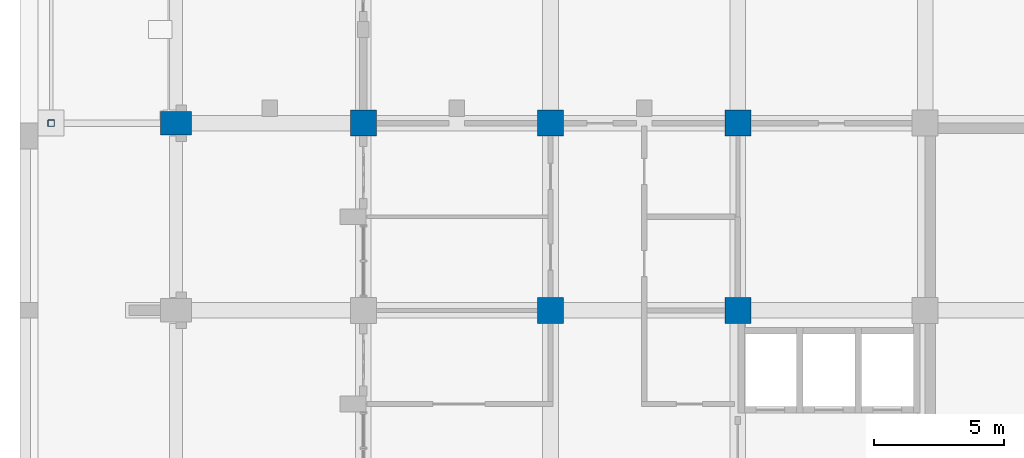
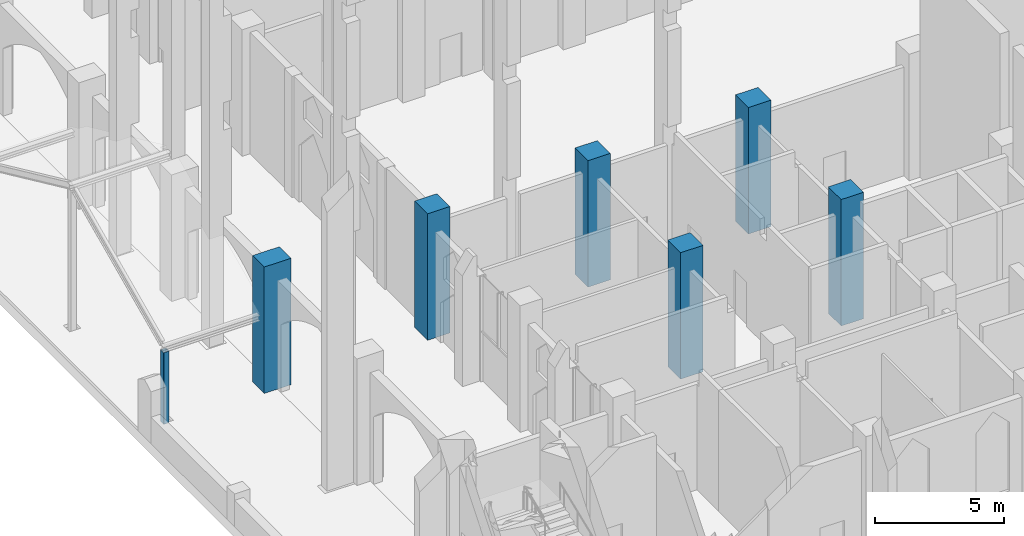
# One storey, part 2 of 50: 7 columns.
"""IFC4 building model written with IfcOpenShell, lengths in metres."""

from ifc_helpers import new_model, si_unit, direction, frame, origin, origin_2d, place, context, subcontext, project, spatial, rectangle, hollow_rectangle, extrude, material, material_profile, profile_set, type_object, element, save


model = new_model("IFC4")

# Units and contexts
model_context = context("Model", 3, precision=1e-05, world=origin(), true_north=direction((0.0, 1.0)))
body_context = subcontext(model_context, "Body", "Model", "MODEL_VIEW")
ifc_project = project(units=[si_unit("LENGTHUNIT", "METRE"), si_unit("AREAUNIT", "SQUARE_METRE"), si_unit("VOLUMEUNIT", "CUBIC_METRE"), si_unit("PLANEANGLEUNIT", "RADIAN"), si_unit("MASSUNIT", "GRAM", prefix="KILO")], contexts=[model_context])

# Site, building, storey
site_placement = place(None, origin())
site = spatial("IfcSite", under=ifc_project, at=site_placement, CompositionType="ELEMENT")
building_placement = place(site_placement, origin())
building = spatial("IfcBuilding", under=site, at=building_placement, Name="Silangan Lancet Faculty of Sciences", CompositionType="ELEMENT")
storey_placement = place(building_placement, origin())
storey = spatial("IfcBuildingStorey", under=building, at=storey_placement, Name="L00", CompositionType="ELEMENT", Elevation=0.0)

# Columns
ifc_material_1 = material(Name="Concrete C50/60", Category="concrete")
ifc_material_profile_1 = material_profile(ifc_material_1, rectangle(XDim=1.0, YDim=1.0, at=origin_2d()), Name="RC 1000x1000")
ifc_profile_set_1 = profile_set([ifc_material_profile_1], Name="Concrete C50/60")
column_type_1 = type_object("IfcColumnType", Name="COLUMN RC 1000x1000", PredefinedType="COLUMN", material=ifc_profile_set_1)
for number, where, z_axis, x_axis, name in (
    (1, (7.199951171875, 21.60009765625, 0.0), (0.0, 0.0, 1.0), (1.0, 0.0, 0.0), "COL-L00-2D"),
    (2, (14.39990234375, 14.39990234375, 0.0), (0.0, 0.0, 1.0), (1.0, 0.0, 0.0), "COL-L00-3C"),
    (3, (14.39990234375, 21.60009765625, 0.0), (0.0, 0.0, 1.0), (1.0, 0.0, 0.0), "COL-L00-3D"),
    (4, (21.60009765625, 14.39990234375, 0.0), (0.0, 0.0, 1.0), (1.0, 0.0, 0.0), "COL-L00-4C"),
    (5, (21.60009765625, 21.60009765625, 0.0), (0.0, 0.0, 1.0), (1.0, 0.0, 0.0), "COL-L00-4D"),
):
    element("IfcColumn", number, at=place(storey_placement, frame(where, z_axis=z_axis, x_axis=x_axis)), inside=storey, type_object=column_type_1, Name=name, PredefinedType="COLUMN", context=body_context, shape_type="SweptSolid", body=[
        extrude(rectangle(XDim=1.0, YDim=1.0, at=origin_2d()), origin(), (0.0, 0.0, 1.0), 6.0),
    ])
ifc_material_2 = material(Name="Concrete C50/60", Category="concrete")
ifc_material_profile_2 = material_profile(ifc_material_2, rectangle(XDim=1.199951171875, YDim=0.89990234375, at=origin_2d()), Name="RC 1200x900")
ifc_profile_set_2 = profile_set([ifc_material_profile_2], Name="Concrete C50/60")
column_type_2 = type_object("IfcColumnType", Name="COLUMN RC 1200x900", PredefinedType="COLUMN", material=ifc_profile_set_2)
column_1_placement = place(storey_placement, frame((0.0, 21.60009765625, 0.0), z_axis=(0.0, 0.0, 1.0), x_axis=(1.0, 0.0, 0.0)))
element("IfcColumn", 6, at=column_1_placement, inside=storey, type_object=column_type_2, Name="COL-L00-1D", PredefinedType="COLUMN", context=body_context, shape_type="SweptSolid", body=[
    extrude(rectangle(XDim=1.199951171875, YDim=0.89990234375, at=origin_2d()), origin(), (0.0, 0.0, 1.0), 6.0),
])
ifc_material_3 = material(Name="Steel STKR400", Category="steel")
ifc_material_profile_3 = material_profile(ifc_material_3, hollow_rectangle(XDim=0.25, YDim=0.25, WallThickness=0.009033203125, InnerFilletRadius=0.009033203125, OuterFilletRadius=0.01806640625, at=origin_2d()), Name="SHS 250x250x9.0")
ifc_profile_set_3 = profile_set([ifc_material_profile_3], Name="Steel STKR400")
column_type_3 = type_object("IfcColumnType", Name="Porch column SHS 250x250x9.0", PredefinedType="COLUMN", material=ifc_profile_set_3)
column_2_placement = place(storey_placement, frame((-4.800048828125, 21.60009765625, -0.14990234375), z_axis=(0.0, 0.0, 1.0), x_axis=(1.0, 0.0, 0.0)))
element("IfcColumn", 7, at=column_2_placement, inside=storey, type_object=column_type_3, Name="Porch column 1", PredefinedType="COLUMN", context=body_context, shape_type="SweptSolid", body=[
    extrude(hollow_rectangle(XDim=0.25, YDim=0.25, WallThickness=0.009033203125, InnerFilletRadius=0.009033203125, OuterFilletRadius=0.01806640625, at=origin_2d()), origin(), (0.0, 0.0, 1.0), 3.39990234375),
])

save(model, "model.ifc")
